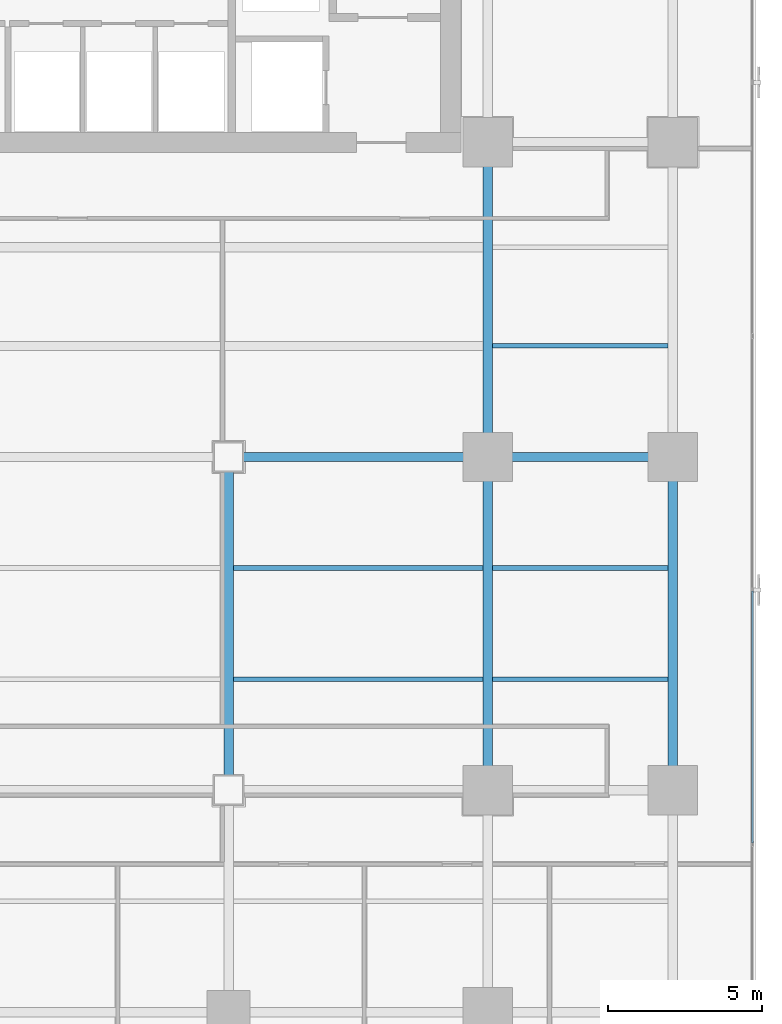
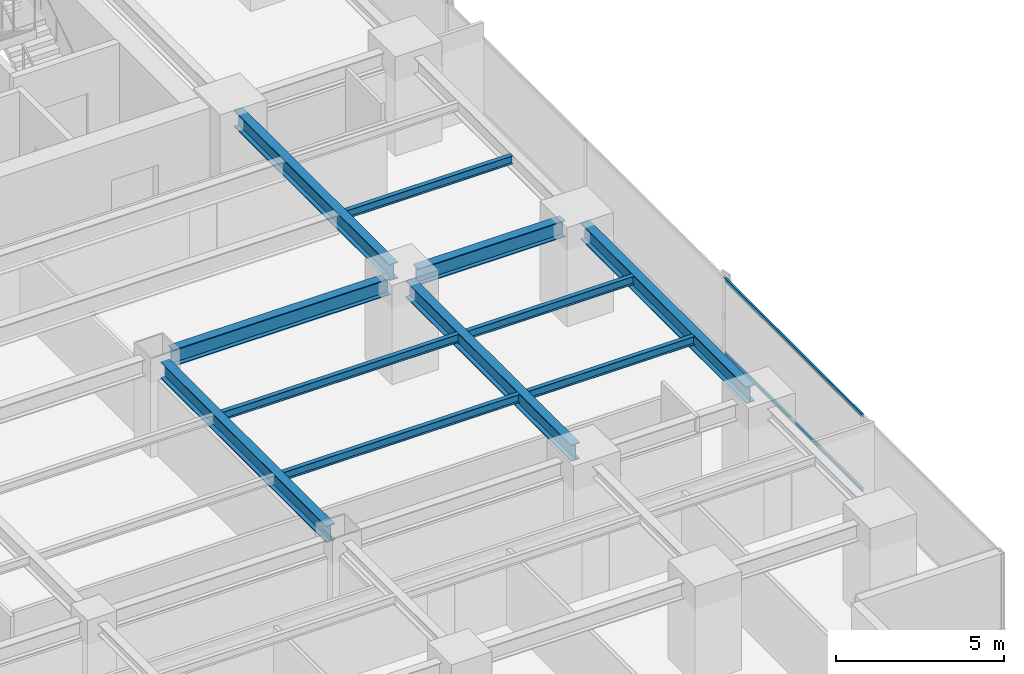
# One storey, part 15 of 37: 11 beams, 2 members, 1 element without a shape of its own.
"""IFC4 building model written with IfcOpenShell, lengths in metres."""

from ifc_helpers import new_model, si_unit, direction, frame, origin, origin_2d, place, context, subcontext, project, spatial, hollow_rectangle, i_section, extrude, source, transform, mapped, material, layer, layer_set, material_profile, profile_set, type_object, element, aggregate, save


model = new_model("IFC4")

# Units and contexts
model_context = context("Model", 3, precision=1e-05, world=origin(), true_north=direction((0.0, 1.0)))
body_context = subcontext(model_context, "Body", "Model", "MODEL_VIEW")
ifc_project = project(units=[si_unit("LENGTHUNIT", "METRE"), si_unit("AREAUNIT", "SQUARE_METRE"), si_unit("VOLUMEUNIT", "CUBIC_METRE"), si_unit("PLANEANGLEUNIT", "RADIAN"), si_unit("MASSUNIT", "GRAM", prefix="KILO")], contexts=[model_context])

# Site, building, storey
site_placement = place(None, origin())
site = spatial("IfcSite", under=ifc_project, at=site_placement, CompositionType="ELEMENT")
building_placement = place(site_placement, origin())
building = spatial("IfcBuilding", under=site, at=building_placement, Name="Sumidabori Civic Tower", CompositionType="ELEMENT")
storey_placement = place(building_placement, frame((0.0, 0.0, 81.199951171875)))
storey = spatial("IfcBuildingStorey", under=building, at=storey_placement, Name="L20", CompositionType="ELEMENT", Elevation=81.199951171875)

# Beams
ifc_material_1 = material(Name="Steel SN490", Category="steel")
ifc_material_profile_1 = material_profile(ifc_material_1, i_section(OverallWidth=0.300048828125, OverallDepth=0.60009765625, WebThickness=0.015380859375, FlangeThickness=0.030029296875, at=origin_2d()), Name="HE 600 B")
ifc_profile_set_1 = profile_set([ifc_material_profile_1], Name="Steel SN490")
beam_type_1 = type_object("IfcBeamType", Name="BM-GIRD-600", PredefinedType="BEAM", material=ifc_profile_set_1)
shared_shape_1 = source(origin(), body_context, "Body", "SweptSolid", [
    extrude(i_section(OverallWidth=0.300048828125, OverallDepth=0.60009765625, WebThickness=0.015380859375, FlangeThickness=0.030029296875, at=origin_2d()), origin(), (0.0, 0.0, 1.0), 5.0400390625),
])
beam_1_placement = place(storey_placement, frame((17.280029296875, 0.0, 3.06005859375), z_axis=(1.0, 0.0, 0.0), x_axis=(0.0, 1.0, 0.0)))
element("IfcBeam", 1, at=beam_1_placement, inside=storey, type_object=beam_type_1, Name="Primary Girder L20 GX-18", PredefinedType="BEAM", context=body_context, shape_type="MappedRepresentation", body=[
    mapped(shared_shape_1, transform((0.0, 0.0, 0.0), x_axis=(1.0, 0.0, 0.0), y_axis=(0.0, 1.0, 0.0), z_axis=(0.0, 0.0, 1.0), scale=1.0)),
])
shared_shape_2 = source(origin(), body_context, "Body", "SweptSolid", [
    extrude(i_section(OverallWidth=0.300048828125, OverallDepth=0.60009765625, WebThickness=0.015380859375, FlangeThickness=0.030029296875, at=origin_2d()), origin(), (0.0, 0.0, 1.0), 7.440185546875),
])
beam_2_placement = place(storey_placement, frame((8.8798828125, 0.0, 3.06005859375), z_axis=(1.0, 0.0, 0.0), x_axis=(0.0, 1.0, 0.0)))
element("IfcBeam", 2, at=beam_2_placement, inside=storey, type_object=beam_type_1, Name="Primary Girder L20 GX-17", PredefinedType="BEAM", context=body_context, shape_type="MappedRepresentation", body=[
    mapped(shared_shape_2, transform((0.0, 0.0, 0.0), x_axis=(1.0, 0.0, 0.0), y_axis=(0.0, 1.0, 0.0), z_axis=(0.0, 0.0, 1.0), scale=1.0)),
])
shared_shape_3 = source(origin(), body_context, "Body", "SweptSolid", [
    extrude(i_section(OverallWidth=0.300048828125, OverallDepth=0.60009765625, WebThickness=0.015380859375, FlangeThickness=0.030029296875, at=origin_2d()), origin(), (0.0, 0.0, 1.0), 9.840087890625),
])
for number, where, z_axis, x_axis, name in (
    (3, (8.39990234375, -10.320068359375, 3.06005859375), (0.0, 1.0, 0.0), (-1.0, 0.0, 0.0), "Primary Girder L20 GY-34"),
    (4, (16.800048828125, -10.320068359375, 3.06005859375), (0.0, 1.0, 0.0), (-1.0, 0.0, 0.0), "Primary Girder L20 GY-36"),
    (5, (22.800048828125, -10.320068359375, 3.06005859375), (0.0, 1.0, 0.0), (-1.0, 0.0, 0.0), "Primary Girder L20 GY-40"),
):
    element("IfcBeam", number, at=place(storey_placement, frame(where, z_axis=z_axis, x_axis=x_axis)), inside=storey, type_object=beam_type_1, Name=name, PredefinedType="BEAM", context=body_context, shape_type="MappedRepresentation", body=[
        mapped(shared_shape_3, transform((0.0, 0.0, 0.0), x_axis=(1.0, 0.0, 0.0), y_axis=(0.0, 1.0, 0.0), z_axis=(0.0, 0.0, 1.0), scale=1.0)),
    ])
shared_shape_4 = source(origin(), body_context, "Body", "SweptSolid", [
    extrude(i_section(OverallWidth=0.300048828125, OverallDepth=0.60009765625, WebThickness=0.015380859375, FlangeThickness=0.030029296875, at=origin_2d()), origin(), (0.0, 0.0, 1.0), 9.239990234375),
])
beam_3_placement = place(storey_placement, frame((16.800048828125, 0.47998046875, 3.06005859375), z_axis=(0.0, 1.0, 0.0), x_axis=(-1.0, 0.0, 0.0)))
element("IfcBeam", 6, at=beam_3_placement, inside=storey, type_object=beam_type_1, Name="Primary Girder L20 GY-37", PredefinedType="BEAM", context=body_context, shape_type="MappedRepresentation", body=[
    mapped(shared_shape_4, transform((0.0, 0.0, 0.0), x_axis=(1.0, 0.0, 0.0), y_axis=(0.0, 1.0, 0.0), z_axis=(0.0, 0.0, 1.0), scale=1.0)),
])
ifc_material_profile_2 = material_profile(ifc_material_1, i_section(OverallWidth=0.14990234375, OverallDepth=0.300048828125, WebThickness=0.007080078125, FlangeThickness=0.0107421875, at=origin_2d()), Name="IPE 300")
ifc_profile_set_2 = profile_set([ifc_material_profile_2], Name="Steel SN490")
beam_type_2 = type_object("IfcBeamType", Name="BM-JST-300", PredefinedType="JOIST", material=ifc_profile_set_2)
shared_shape_5 = source(origin(), body_context, "Body", "SweptSolid", [
    extrude(i_section(OverallWidth=0.14990234375, OverallDepth=0.300048828125, WebThickness=0.007080078125, FlangeThickness=0.0107421875, at=origin_2d()), origin(), (0.0, 0.0, 1.0), 5.699951171875),
])
for number, where, z_axis, x_axis, name in (
    (7, (16.949951171875, -7.199951171875, 3.2099609375), (1.0, 0.0, 0.0), (0.0, 1.0, 0.0), "Outer Bay Floor Joist L20 JSTO-44"),
    (8, (16.949951171875, -3.60009765625, 3.2099609375), (1.0, 0.0, 0.0), (0.0, 1.0, 0.0), "Outer Bay Floor Joist L20 JSTO-46"),
    (9, (16.949951171875, 3.60009765625, 3.2099609375), (1.0, 0.0, 0.0), (0.0, 1.0, 0.0), "Outer Bay Floor Joist L20 JSTO-48"),
):
    element("IfcBeam", number, at=place(storey_placement, frame(where, z_axis=z_axis, x_axis=x_axis)), inside=storey, type_object=beam_type_2, Name=name, PredefinedType="JOIST", context=body_context, shape_type="MappedRepresentation", body=[
        mapped(shared_shape_5, transform((0.0, 0.0, 0.0), x_axis=(1.0, 0.0, 0.0), y_axis=(0.0, 1.0, 0.0), z_axis=(0.0, 0.0, 1.0), scale=1.0)),
    ])
shared_shape_6 = source(origin(), body_context, "Body", "SweptSolid", [
    extrude(i_section(OverallWidth=0.14990234375, OverallDepth=0.300048828125, WebThickness=0.007080078125, FlangeThickness=0.0107421875, at=origin_2d()), origin(), (0.0, 0.0, 1.0), 8.099853515625),
])
for number, where, z_axis, x_axis, name in (
    (10, (8.550048828125, -7.199951171875, 3.2099609375), (1.0, 0.0, 0.0), (0.0, 1.0, 0.0), "South Bay Floor Joist L20 JSTS-62"),
    (11, (8.550048828125, -3.60009765625, 3.2099609375), (1.0, 0.0, 0.0), (0.0, 1.0, 0.0), "South Bay Floor Joist L20 JSTS-66"),
):
    element("IfcBeam", number, at=place(storey_placement, frame(where, z_axis=z_axis, x_axis=x_axis)), inside=storey, type_object=beam_type_2, Name=name, PredefinedType="JOIST", context=body_context, shape_type="MappedRepresentation", body=[
        mapped(shared_shape_6, transform((0.0, 0.0, 0.0), x_axis=(1.0, 0.0, 0.0), y_axis=(0.0, 1.0, 0.0), z_axis=(0.0, 0.0, 1.0), scale=1.0)),
    ])

# Curtain wall, members
ifc_material_2 = material(Name="Anodised Bronze Aluminium AW-6063-T6", Category="aluminium")
ifc_layer = layer(ifc_material_2, 0.179931640625, Name="Anodised Bronze Aluminium AW-6063-T6")
ifc_layer_set = layer_set([ifc_layer], Name="Anodised Bronze Aluminium AW-6063-T6")
curtain_wall_type = type_object("IfcCurtainWallType", Name="CW-SYS-3", PredefinedType="NOTDEFINED", material=ifc_layer_set)
curtain_wall_placement = place(storey_placement, origin())
curtain_wall = element("IfcCurtainWall", 12, at=curtain_wall_placement, inside=storey, type_object=curtain_wall_type, Name="Curtain Wall CW:L20:R04", PredefinedType="NOTDEFINED")
ifc_material_profile_3 = material_profile(ifc_material_2, hollow_rectangle(XDim=0.06005859375, YDim=0.1298828125, WallThickness=0.0048828125, at=origin_2d()), Name="ALU TRANSOM 130x60")
ifc_profile_set_3 = profile_set([ifc_material_profile_3], Name="Anodised Bronze Aluminium AW-6063-T6")
member_type = type_object("IfcMemberType", Name="CW-TRN-130", PredefinedType="USERDEFINED", material=ifc_profile_set_3)
shared_shape_7 = source(origin(), body_context, "Body", "SweptSolid", [
    extrude(hollow_rectangle(XDim=0.06005859375, YDim=0.1298828125, WallThickness=0.0048828125, at=origin_2d()), origin(), (0.0, 0.0, 1.0), 8.1630859375),
])
member_1_placement = place(storey_placement, frame((25.3798828125, -12.509521484375, 0.030029296875), z_axis=(0.0, 1.0, 0.0), x_axis=(-1.0, 0.0, 0.0)))
member_1 = element("IfcMember", 13, at=member_1_placement, type_object=member_type, Name="CW-3 transom 2.1", ObjectType="TRANSOM", PredefinedType="USERDEFINED", context=body_context, shape_type="MappedRepresentation", body=[
    mapped(shared_shape_7, transform((0.0, 0.0, 0.0), x_axis=(1.0, 0.0, 0.0), y_axis=(0.0, 1.0, 0.0), z_axis=(0.0, 0.0, 1.0), scale=1.0)),
])
member_2_placement = place(storey_placement, frame((25.3798828125, -12.509521484375, 2.7099609375), z_axis=(0.0, 1.0, 0.0), x_axis=(-1.0, 0.0, 0.0)))
member_2 = element("IfcMember", 14, at=member_2_placement, type_object=member_type, Name="CW-3 transom 2.2", ObjectType="TRANSOM", PredefinedType="USERDEFINED", context=body_context, shape_type="MappedRepresentation", body=[
    mapped(shared_shape_7, transform((0.0, 0.0, 0.0), x_axis=(1.0, 0.0, 0.0), y_axis=(0.0, 1.0, 0.0), z_axis=(0.0, 0.0, 1.0), scale=1.0)),
])
aggregate(curtain_wall, [member_1, member_2])

save(model, "model.ifc")
